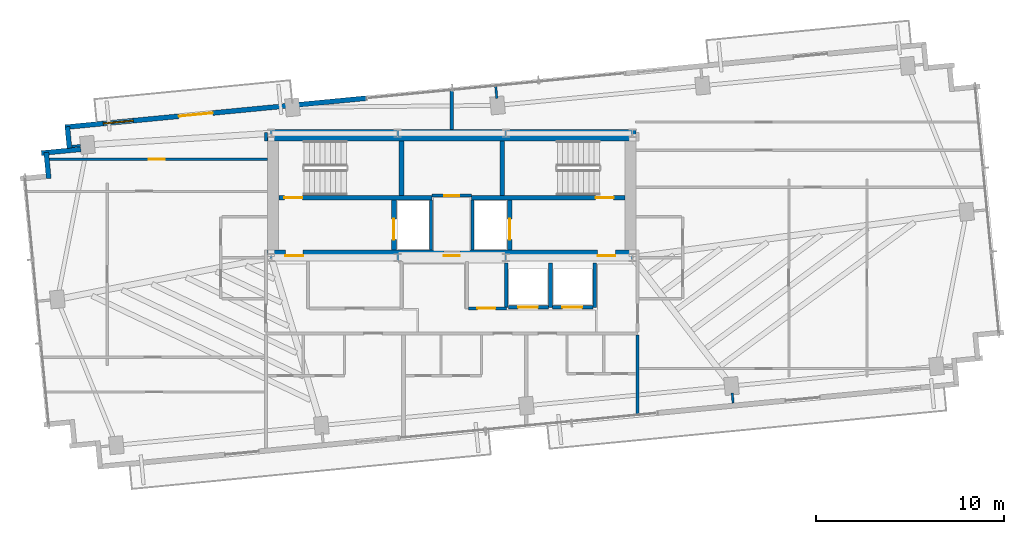
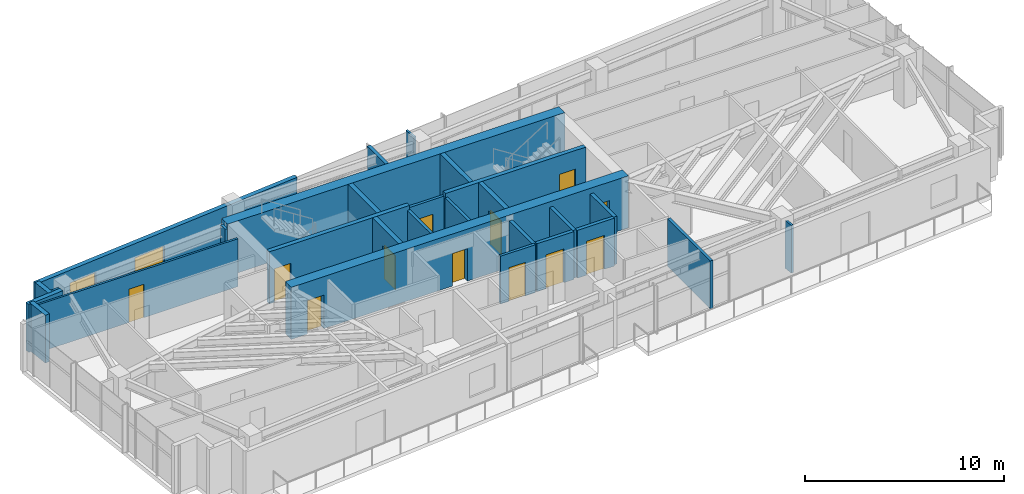
# One storey, part 14 of 18: 28 walls, 13 doors, 1 window, 14 openings.
"""IFC4 building model written with IfcOpenShell, lengths in metres."""

from ifc_helpers import new_model, si_unit, direction, frame, frame_2d, origin, place, context, subcontext, project, spatial, rectangle, extrude, source, transform, mapped, material, layer, layer_set, type_object, type_shapes, element, fill, save


model = new_model("IFC4")

# Units and contexts
model_context = context("Model", 3, precision=1e-05, world=origin(), true_north=direction((0.0, 1.0)))
body_context = subcontext(model_context, "Body", "Model", "MODEL_VIEW")
ifc_project = project(units=[si_unit("LENGTHUNIT", "METRE"), si_unit("AREAUNIT", "SQUARE_METRE"), si_unit("VOLUMEUNIT", "CUBIC_METRE"), si_unit("PLANEANGLEUNIT", "RADIAN"), si_unit("MASSUNIT", "GRAM", prefix="KILO")], contexts=[model_context])

# Site, building, storey
site_placement = place(None, origin())
site = spatial("IfcSite", under=ifc_project, at=site_placement, CompositionType="ELEMENT")
building_placement = place(site_placement, origin())
building = spatial("IfcBuilding", under=site, at=building_placement, Name="Astriad Promenade Condominiums", CompositionType="ELEMENT")
storey_placement = place(building_placement, frame((0.0, 0.0, 201.800048828125)))
storey = spatial("IfcBuildingStorey", under=building, at=storey_placement, Name="L58", CompositionType="ELEMENT", Elevation=201.800048828125)

# Wall, openings, doors
ifc_material_1 = material(Name="Concrete C50/60", Category="concrete")
ifc_layer_1 = layer(ifc_material_1, 0.60009765625)
ifc_layer_set_1 = layer_set([ifc_layer_1], Name="Concrete C50/60")
wall_type_1 = type_object("IfcWallType", Name="CW-SHEAR-600", PredefinedType="SHEAR", material=ifc_layer_set_1)
wall_1_placement = place(storey_placement, frame((26.199951171875, 17.5, 0.0), z_axis=(0.0, 0.0, 1.0), x_axis=(1.0, 0.0, 0.0)))
wall_1 = element("IfcWall", 1, at=wall_1_placement, inside=storey, type_object=wall_type_1, Name="CW-CORE-S-L58", PredefinedType="SHEAR", context=body_context, shape_type="SweptSolid", body=[
    extrude(rectangle(XDim=19.60009765625, YDim=0.60009765625, at=frame_2d((9.800048828125, 0.0))), origin(), (0.0, 0.0, 1.0), 3.199951171875),
])
opening_1_placement = place(wall_1_placement, frame((0.949951171875, 0.0, 0.0)))
opening_1 = element("IfcOpeningElement", 2, at=opening_1_placement, cuts=wall_1, Name="Opening FD90-ST-095", PredefinedType="OPENING", context=body_context, shape_type="SweptSolid", body=[
    extrude(rectangle(XDim=0.949951171875, YDim=2.06005859375, at=frame_2d((0.47509765625, 1.030029296875))), frame((0.0, 0.31005859375, 0.0), z_axis=(0.0, -1.0, 0.0), x_axis=(1.0, 0.0, 0.0)), (0.0, 0.0, 1.0), 0.6201171875),
])
opening_2_placement = place(wall_1_placement, frame((9.3798828125, 0.0, 0.0)))
opening_2 = element("IfcOpeningElement", 3, at=opening_2_placement, cuts=wall_1, Name="Opening FD60-ULOW-085", PredefinedType="OPENING", context=body_context, shape_type="SweptSolid", body=[
    extrude(rectangle(XDim=0.85009765625, YDim=2.0, at=frame_2d((0.425048828125, 1.0))), frame((0.0, 0.31005859375, 0.0), z_axis=(0.0, -1.0, 0.0), x_axis=(1.0, 0.0, 0.0)), (0.0, 0.0, 1.0), 0.6201171875),
])
opening_3_placement = place(wall_1_placement, frame((17.550048828125, 0.0, 0.0)))
opening_3 = element("IfcOpeningElement", 4, at=opening_3_placement, cuts=wall_1, Name="Opening FD90-ST-095", PredefinedType="OPENING", context=body_context, shape_type="SweptSolid", body=[
    extrude(rectangle(XDim=0.949951171875, YDim=2.06005859375, at=frame_2d((0.47509765625, 1.030029296875))), frame((0.0, 0.31005859375, 0.0), z_axis=(0.0, -1.0, 0.0), x_axis=(1.0, 0.0, 0.0)), (0.0, 0.0, 1.0), 0.6201171875),
])
ifc_material_2 = material(Name="Fire-Rated Hollow Metal Stair Door")
door_type_1 = type_object("IfcDoorType", Name="FD90-ST-095", OperationType="NOTDEFINED", PredefinedType="DOOR", material=ifc_material_2)
shared_shape_1 = source(origin(), body_context, "Body", "SweptSolid", [
    extrude(rectangle(XDim=0.949951171875, YDim=2.06005859375, at=frame_2d((0.47509765625, 1.030029296875))), frame((0.0, 0.02490234375, 0.0), z_axis=(0.0, -1.0, 0.0), x_axis=(1.0, 0.0, 0.0)), (0.0, 0.0, 1.0), 0.050048828125),
])
type_shapes(door_type_1, [shared_shape_1])
door_1_placement = place(opening_1_placement, origin())
door_1 = element("IfcDoor", 5, at=door_1_placement, inside=storey, type_object=door_type_1, Name="D-FFW-L58", OperationType="SINGLE_SWING_LEFT", OverallHeight=2.06005859375, OverallWidth=0.949951171875, PredefinedType="DOOR", context=body_context, shape_type="MappedRepresentation", body=[
    mapped(shared_shape_1, transform((0.0, 0.0, 0.0), scale=1.0)),
])
fill(opening_1, door_1)
door_2_placement = place(opening_3_placement, origin())
door_2 = element("IfcDoor", 6, at=door_2_placement, inside=storey, type_object=door_type_1, Name="D-FFE-L58", OperationType="SINGLE_SWING_RIGHT", OverallHeight=2.06005859375, OverallWidth=0.949951171875, PredefinedType="DOOR", context=body_context, shape_type="MappedRepresentation", body=[
    mapped(shared_shape_1, transform((0.0, 0.0, 0.0), scale=1.0)),
])
fill(opening_3, door_2)
ifc_material_3 = material(Name="Solid-Core Low-Headroom Fire Door")
door_type_2 = type_object("IfcDoorType", Name="FD60-ULOW-085", OperationType="NOTDEFINED", PredefinedType="DOOR", material=ifc_material_3)
shared_shape_2 = source(origin(), body_context, "Body", "SweptSolid", [
    extrude(rectangle(XDim=0.85009765625, YDim=2.0, at=frame_2d((0.425048828125, 1.0))), frame((0.0, 0.02490234375, 0.0), z_axis=(0.0, -1.0, 0.0), x_axis=(1.0, 0.0, 0.0)), (0.0, 0.0, 1.0), 0.050048828125),
])
type_shapes(door_type_2, [shared_shape_2])
door_3_placement = place(opening_2_placement, origin())
door_3 = element("IfcDoor", 7, at=door_3_placement, inside=storey, type_object=door_type_2, Name="D-CSL-L58", OperationType="SINGLE_SWING_RIGHT", OverallHeight=2.0, OverallWidth=0.85009765625, PredefinedType="DOOR", context=body_context, shape_type="MappedRepresentation", body=[
    mapped(shared_shape_2, transform((0.0, 0.0, 0.0), scale=1.0)),
])
fill(opening_2, door_3)

# Wall
wall_2_placement = place(storey_placement, frame((26.199951171875, 23.89990234375, 0.0), z_axis=(0.0, 0.0, 1.0), x_axis=(1.0, 0.0, 0.0)))
element("IfcWall", 8, at=wall_2_placement, inside=storey, type_object=wall_type_1, Name="CW-CORE-N-L58", PredefinedType="SHEAR", context=body_context, shape_type="SweptSolid", body=[
    extrude(rectangle(XDim=19.60009765625, YDim=0.60009765625, at=frame_2d((9.800048828125, 0.0))), origin(), (0.0, 0.0, 1.0), 3.199951171875),
])

# Wall, opening, door
ifc_layer_2 = layer(ifc_material_1, 0.25)
ifc_layer_set_2 = layer_set([ifc_layer_2], Name="Concrete C50/60")
wall_type_2 = type_object("IfcWallType", Name="WALL-CORE-INT-250", PredefinedType="SOLIDWALL", material=ifc_layer_set_2)
wall_3_placement = place(storey_placement, frame((26.802001953125, 20.574951171875, 0.0), z_axis=(0.0, 0.0, 1.0), x_axis=(1.0, 0.0, 0.0)))
wall_3 = element("IfcWall", 9, at=wall_3_placement, inside=storey, type_object=wall_type_2, Name="CW-INT-H1-L58", PredefinedType="SOLIDWALL", context=body_context, shape_type="SweptSolid", body=[
    extrude(rectangle(XDim=8.14794921875, YDim=0.25, at=frame_2d((4.073974609375, 0.0))), origin(), (0.0, 0.0, 1.0), 3.199951171875),
])
opening_4_placement = place(wall_3_placement, frame((0.298095703125, 0.0, 0.0)))
opening_4 = element("IfcOpeningElement", 10, at=opening_4_placement, cuts=wall_3, Name="Opening FD90-ST-095", PredefinedType="OPENING", context=body_context, shape_type="SweptSolid", body=[
    extrude(rectangle(XDim=0.949951171875, YDim=2.06005859375, at=frame_2d((0.47509765625, 1.030029296875))), frame((0.0, 0.135009765625, 0.0), z_axis=(0.0, -1.0, 0.0), x_axis=(1.0, 0.0, 0.0)), (0.0, 0.0, 1.0), 0.27001953125),
])
door_4_placement = place(opening_4_placement, origin())
door_4 = element("IfcDoor", 11, at=door_4_placement, inside=storey, type_object=door_type_1, Name="D-ST1-L58", OperationType="SINGLE_SWING_LEFT", OverallHeight=2.06005859375, OverallWidth=0.949951171875, PredefinedType="DOOR", context=body_context, shape_type="MappedRepresentation", body=[
    mapped(shared_shape_1, transform((0.0, 0.0, 0.0), scale=1.0)),
])
fill(opening_4, door_4)

wall_4_placement = place(storey_placement, frame((37.050048828125, 20.574951171875, 0.0), z_axis=(0.0, 0.0, 1.0), x_axis=(1.0, 0.0, 0.0)))
wall_4 = element("IfcWall", 12, at=wall_4_placement, inside=storey, type_object=wall_type_2, Name="CW-INT-H2-L58", PredefinedType="SOLIDWALL", context=body_context, shape_type="SweptSolid", body=[
    extrude(rectangle(XDim=8.14794921875, YDim=0.25, at=frame_2d((4.073974609375, 0.0))), origin(), (0.0, 0.0, 1.0), 3.199951171875),
])
opening_5_placement = place(wall_4_placement, frame((6.60009765625, 0.0, 0.0)))
opening_5 = element("IfcOpeningElement", 13, at=opening_5_placement, cuts=wall_4, Name="Opening FD90-ST-095", PredefinedType="OPENING", context=body_context, shape_type="SweptSolid", body=[
    extrude(rectangle(XDim=0.949951171875, YDim=2.06005859375, at=frame_2d((0.47509765625, 1.030029296875))), frame((0.0, 0.135009765625, 0.0), z_axis=(0.0, -1.0, 0.0), x_axis=(1.0, 0.0, 0.0)), (0.0, 0.0, 1.0), 0.27001953125),
])
door_5_placement = place(opening_5_placement, origin())
door_5 = element("IfcDoor", 14, at=door_5_placement, inside=storey, type_object=door_type_1, Name="D-ST2-L58", OperationType="SINGLE_SWING_RIGHT", OverallHeight=2.06005859375, OverallWidth=0.949951171875, PredefinedType="DOOR", context=body_context, shape_type="MappedRepresentation", body=[
    mapped(shared_shape_1, transform((0.0, 0.0, 0.0), scale=1.0)),
])
fill(opening_5, door_5)

# Walls
for number, where, z_axis, x_axis, name in (
    (15, (33.324951171875, 20.701904296875, 0.0), (0.0, 0.0, 1.0), (0.0, 1.0, 0.0), "CW-ST1-E-L58"),
    (16, (38.675048828125, 20.701904296875, 0.0), (0.0, 0.0, 1.0), (0.0, 1.0, 0.0), "CW-ST2-W-L58"),
):
    element("IfcWall", number, at=place(storey_placement, frame(where, z_axis=z_axis, x_axis=x_axis)), inside=storey, type_object=wall_type_2, Name=name, PredefinedType="SOLIDWALL", context=body_context, shape_type="SweptSolid", body=[
        extrude(rectangle(XDim=2.89599609375, YDim=0.25, at=frame_2d((1.447998046875, 0.0))), origin(), (0.0, 0.0, 1.0), 3.199951171875),
    ])

# Wall, opening, door
wall_5_placement = place(storey_placement, frame((32.925048828125, 17.802001953125, 0.0), z_axis=(0.0, 0.0, 1.0), x_axis=(0.0, 1.0, 0.0)))
wall_5 = element("IfcWall", 17, at=wall_5_placement, inside=storey, type_object=wall_type_2, Name="CW-FFL1-W-L58", PredefinedType="SOLIDWALL", context=body_context, shape_type="SweptSolid", body=[
    extrude(rectangle(XDim=2.64599609375, YDim=0.25, at=frame_2d((1.322998046875, 0.0))), origin(), (0.0, 0.0, 1.0), 3.199951171875),
])
opening_6_placement = place(wall_5_placement, frame((0.548095703125, 0.0, 0.0)))
opening_6 = element("IfcOpeningElement", 18, at=opening_6_placement, cuts=wall_5, Name="Opening LD-FFL-1122", PredefinedType="OPENING", context=body_context, shape_type="SweptSolid", body=[
    extrude(rectangle(XDim=1.10009765625, YDim=2.080078125, at=frame_2d((0.550048828125, 1.0400390625))), frame((0.0, 0.135009765625, 0.0), z_axis=(0.0, -1.0, 0.0), x_axis=(1.0, 0.0, 0.0)), (0.0, 0.0, 1.0), 0.27001953125),
])
ifc_material_4 = material(Name="Brushed Stainless Steel Fire Elevator Landing Door", Category="steel")
door_type_3 = type_object("IfcDoorType", Name="LD-FFL-1122", OperationType="NOTDEFINED", PredefinedType="DOOR", material=ifc_material_4)
shared_shape_3 = source(origin(), body_context, "Body", "SweptSolid", [
    extrude(rectangle(XDim=1.10009765625, YDim=2.080078125, at=frame_2d((0.550048828125, 1.0400390625))), frame((0.0, 0.02490234375, 0.0), z_axis=(0.0, -1.0, 0.0), x_axis=(1.0, 0.0, 0.0)), (0.0, 0.0, 1.0), 0.050048828125),
])
type_shapes(door_type_3, [shared_shape_3])
door_6_placement = place(opening_6_placement, origin())
door_6 = element("IfcDoor", 19, at=door_6_placement, inside=storey, type_object=door_type_3, Name="Elevator Landing Door FFL-1 (L58)", OperationType="SLIDING_TO_LEFT", OverallHeight=2.080078125, OverallWidth=1.10009765625, PredefinedType="DOOR", context=body_context, shape_type="MappedRepresentation", body=[
    mapped(shared_shape_3, transform((0.0, 0.0, 0.0), scale=1.0)),
])
fill(opening_6, door_6)

wall_6_placement = place(storey_placement, frame((39.074951171875, 17.802001953125, 0.0), z_axis=(0.0, 0.0, 1.0), x_axis=(0.0, 1.0, 0.0)))
wall_6 = element("IfcWall", 20, at=wall_6_placement, inside=storey, type_object=wall_type_2, Name="CW-FFL2-E-L58", PredefinedType="SOLIDWALL", context=body_context, shape_type="SweptSolid", body=[
    extrude(rectangle(XDim=2.64599609375, YDim=0.25, at=frame_2d((1.322998046875, 0.0))), origin(), (0.0, 0.0, 1.0), 3.199951171875),
])
opening_7_placement = place(wall_6_placement, frame((0.548095703125, 0.0, 0.0)))
opening_7 = element("IfcOpeningElement", 21, at=opening_7_placement, cuts=wall_6, Name="Opening LD-FFL-1122", PredefinedType="OPENING", context=body_context, shape_type="SweptSolid", body=[
    extrude(rectangle(XDim=1.10009765625, YDim=2.080078125, at=frame_2d((0.550048828125, 1.0400390625))), frame((0.0, 0.135009765625, 0.0), z_axis=(0.0, -1.0, 0.0), x_axis=(1.0, 0.0, 0.0)), (0.0, 0.0, 1.0), 0.27001953125),
])
door_7_placement = place(opening_7_placement, origin())
door_7 = element("IfcDoor", 22, at=door_7_placement, inside=storey, type_object=door_type_3, Name="Elevator Landing Door FFL-2 (L58)", OperationType="SLIDING_TO_RIGHT", OverallHeight=2.080078125, OverallWidth=1.10009765625, PredefinedType="DOOR", context=body_context, shape_type="MappedRepresentation", body=[
    mapped(shared_shape_3, transform((0.0, 0.0, 0.0), scale=1.0)),
])
fill(opening_7, door_7)

# Walls
ifc_material_5 = material(Name="Fire-Rated Gypsum Partition")
ifc_layer_3 = layer(ifc_material_5, 0.159912109375)
ifc_layer_set_3 = layer_set([ifc_layer_3], Name="Fire-Rated Gypsum Partition")
wall_type_3 = type_object("IfcWallType", Name="WALL-CORR-160", PredefinedType="PARTITIONING", material=ifc_layer_set_3)
for number, where, z_axis, x_axis, name in (
    (23, (34.89990234375, 17.802001953125, 0.0), (0.0, 0.0, 1.0), (0.0, 1.0, 0.0), "CW-FFL1-E-L58"),
    (24, (37.10009765625, 17.802001953125, 0.0), (0.0, 0.0, 1.0), (0.0, 1.0, 0.0), "CW-FFL2-W-L58"),
):
    element("IfcWall", number, at=place(storey_placement, frame(where, z_axis=z_axis, x_axis=x_axis)), inside=storey, type_object=wall_type_3, Name=name, PredefinedType="PARTITIONING", context=body_context, shape_type="SweptSolid", body=[
        extrude(rectangle(XDim=2.64599609375, YDim=0.159912109375, at=frame_2d((1.322998046875, 0.0))), origin(), (0.0, 0.0, 1.0), 2.93994140625),
    ])

# Wall, opening, door
wall_7_placement = place(storey_placement, frame((34.949951171875, 20.68994140625, 0.0), z_axis=(0.0, 0.0, 1.0), x_axis=(1.0, 0.0, 0.0)))
wall_7 = element("IfcWall", 25, at=wall_7_placement, inside=storey, type_object=wall_type_3, Name="CW-AUX-S-L58", PredefinedType="PARTITIONING", context=body_context, shape_type="SweptSolid", body=[
    extrude(rectangle(XDim=2.10009765625, YDim=0.159912109375, at=frame_2d((1.050048828125, 0.0))), origin(), (0.0, 0.0, 1.0), 2.93994140625),
])
opening_8_placement = place(wall_7_placement, frame((0.64990234375, 0.0, 0.0)))
opening_8 = element("IfcOpeningElement", 26, at=opening_8_placement, cuts=wall_7, Name="Opening FD60-SV-080", PredefinedType="OPENING", context=body_context, shape_type="SweptSolid", body=[
    extrude(rectangle(XDim=0.800048828125, YDim=2.050048828125, at=frame_2d((0.39990234375, 1.02490234375))), frame((0.0, 0.08984375, 0.0), z_axis=(0.0, -1.0, 0.0), x_axis=(1.0, 0.0, 0.0)), (0.0, 0.0, 1.0), 0.179931640625),
])
ifc_material_6 = material(Name="Fire-Rated Riser Closet Door")
door_type_4 = type_object("IfcDoorType", Name="FD60-SV-080", OperationType="NOTDEFINED", PredefinedType="DOOR", material=ifc_material_6)
shared_shape_4 = source(origin(), body_context, "Body", "SweptSolid", [
    extrude(rectangle(XDim=0.800048828125, YDim=2.050048828125, at=frame_2d((0.39990234375, 1.02490234375))), frame((0.0, 0.02490234375, 0.0), z_axis=(0.0, -1.0, 0.0), x_axis=(1.0, 0.0, 0.0)), (0.0, 0.0, 1.0), 0.050048828125),
])
type_shapes(door_type_4, [shared_shape_4])
door_8_placement = place(opening_8_placement, origin())
door_8 = element("IfcDoor", 27, at=door_8_placement, inside=storey, type_object=door_type_4, Name="D-AUX1-L58", OperationType="SINGLE_SWING_LEFT", OverallHeight=2.050048828125, OverallWidth=0.800048828125, PredefinedType="DOOR", context=body_context, shape_type="MappedRepresentation", body=[
    mapped(shared_shape_4, transform((0.0, 0.0, 0.0), scale=1.0)),
])
fill(opening_8, door_8)

# Walls
wall_8_placement = place(storey_placement, frame((26.1201171875, 23.597900390625, 0.0), z_axis=(0.0, 0.0, 1.0), x_axis=(0.0, 1.0, 0.0)))
element("IfcWall", 28, at=wall_8_placement, inside=storey, type_object=wall_type_3, Name="PT-COR-W-L58-S3", PredefinedType="PARTITIONING", context=body_context, shape_type="SweptSolid", body=[
    extrude(rectangle(XDim=0.4521484375, YDim=0.159912109375, at=frame_2d((0.22607421875, 0.0))), origin(), (0.0, 0.0, 1.0), 2.93994140625),
])
wall_9_placement = place(storey_placement, frame((45.8798828125, 8.98095703125, 0.0), z_axis=(0.0, 0.0, 1.0), x_axis=(0.0, 1.0, 0.0)))
element("IfcWall", 29, at=wall_9_placement, inside=storey, type_object=wall_type_3, Name="PT-COR-E-L58", PredefinedType="PARTITIONING", context=body_context, shape_type="SweptSolid", body=[
    extrude(rectangle(XDim=4.297119140625, YDim=0.159912109375, at=frame_2d((2.1484375, 0.0))), origin(), (0.0, 0.0, 1.0), 2.93994140625),
])

# Wall, opening, door
wall_10_placement = place(storey_placement, frame((36.882080078125, 14.699951171875, 0.0), z_axis=(0.0, 0.0, 1.0), x_axis=(1.0, 0.0, 0.0)))
wall_10 = element("IfcWall", 30, at=wall_10_placement, inside=storey, type_object=wall_type_3, Name="PT-Z3R2-S-L58", PredefinedType="PARTITIONING", context=body_context, shape_type="SweptSolid", body=[
    extrude(rectangle(XDim=2.017822265625, YDim=0.159912109375, at=frame_2d((1.0087890625, 0.0))), origin(), (0.0, 0.0, 1.0), 2.93994140625),
])
opening_9_placement = place(wall_10_placement, frame((0.48291015625, 0.0, 0.0)))
opening_9 = element("IfcOpeningElement", 31, at=opening_9_placement, cuts=wall_10, Name="Opening FD60-APT-095", PredefinedType="OPENING", context=body_context, shape_type="SweptSolid", body=[
    extrude(rectangle(XDim=0.949951171875, YDim=2.06005859375, at=frame_2d((0.47509765625, 1.030029296875))), frame((0.0, 0.08984375, 0.0), z_axis=(0.0, -1.0, 0.0), x_axis=(1.0, 0.0, 0.0)), (0.0, 0.0, 1.0), 0.179931640625),
])
ifc_material_7 = material(Name="Solid-Core Acoustic Timber Residence Entry Door", Category="wood")
door_type_5 = type_object("IfcDoorType", Name="FD60-APT-095", OperationType="NOTDEFINED", PredefinedType="DOOR", material=ifc_material_7)
shared_shape_5 = source(origin(), body_context, "Body", "SweptSolid", [
    extrude(rectangle(XDim=0.949951171875, YDim=2.06005859375, at=frame_2d((0.47509765625, 1.030029296875))), frame((0.0, 0.02490234375, 0.0), z_axis=(0.0, -1.0, 0.0), x_axis=(1.0, 0.0, 0.0)), (0.0, 0.0, 1.0), 0.050048828125),
])
type_shapes(door_type_5, [shared_shape_5])
door_9_placement = place(opening_9_placement, origin())
door_9 = element("IfcDoor", 32, at=door_9_placement, inside=storey, type_object=door_type_5, Name="D-Z3N-L58", OperationType="SINGLE_SWING_LEFT", OverallHeight=2.06005859375, OverallWidth=0.949951171875, PredefinedType="DOOR", context=body_context, shape_type="MappedRepresentation", body=[
    mapped(shared_shape_5, transform((0.0, 0.0, 0.0), scale=1.0)),
])
fill(opening_9, door_9)

# Walls
ifc_material_8 = material(Name="Acoustic Double-Stud Gypsum Partition")
ifc_layer_4 = layer(ifc_material_8, 0.199951171875)
ifc_layer_set_4 = layer_set([ifc_layer_4], Name="Acoustic Double-Stud Gypsum Partition")
wall_type_4 = type_object("IfcWallType", Name="WALL-DEMISING-200", PredefinedType="PARTITIONING", material=ifc_layer_set_4)
wall_11_placement = place(storey_placement, frame((36.0, 24.201904296875, 0.0), z_axis=(0.0, 0.0, 1.0), x_axis=(0.0, 1.0, 0.0)))
element("IfcWall", 33, at=wall_11_placement, inside=storey, type_object=wall_type_4, Name="PT-NC-MID-L58", PredefinedType="PARTITIONING", context=body_context, shape_type="SweptSolid", body=[
    extrude(rectangle(XDim=2.152099609375, YDim=0.199951171875, at=frame_2d((1.076171875, 0.0))), origin(), (0.0, 0.0, 1.0), 2.93994140625),
])
ifc_material_9 = material(Name="Precast concrete C50/60", Category="concrete")
ifc_layer_5 = layer(ifc_material_9, 0.260009765625)
ifc_layer_set_5 = layer_set([ifc_layer_5], Name="Precast concrete C50/60")
wall_type_5 = type_object("IfcWallType", Name="WALL-EXT-TWR-260", PredefinedType="STANDARD", material=ifc_layer_set_5)
wall_12_placement = place(storey_placement, frame((14.57373046875, 21.5986328125, 0.0), z_axis=(0.0, 0.0, 1.0), x_axis=(-0.095742423056, 0.99540614245, 0.0)))
element("IfcWall", 34, at=wall_12_placement, inside=storey, type_object=wall_type_5, Name="W-SER-L58-05", PredefinedType="STANDARD", context=body_context, shape_type="SweptSolid", body=[
    extrude(rectangle(XDim=1.394775390625, YDim=0.260009765625, at=frame_2d((0.697265625, 0.0))), origin(), (0.0, 0.0, 1.0), 2.93994140625),
])
wall_13_placement = place(storey_placement, frame((14.182861328125, 22.947265625, 0.0), z_axis=(0.0, 0.0, 1.0), x_axis=(0.995401580483, 0.095789840651, 0.0)))
element("IfcWall", 35, at=wall_13_placement, inside=storey, type_object=wall_type_5, Name="W-SER-L58-06", PredefinedType="STANDARD", context=body_context, shape_type="SweptSolid", body=[
    extrude(rectangle(XDim=2.102783203125, YDim=0.260009765625, at=frame_2d((1.05126953125, 0.0))), origin(), (0.0, 0.0, 1.0), 2.93994140625),
])
wall_14_placement = place(storey_placement, frame((15.6748046875, 23.20654296875, 0.0), z_axis=(0.0, 0.0, 1.0), x_axis=(-0.095951054827, 0.995386053287, 0.0)))
element("IfcWall", 36, at=wall_14_placement, inside=storey, type_object=wall_type_5, Name="W-SER-L58-07", PredefinedType="STANDARD", context=body_context, shape_type="SweptSolid", body=[
    extrude(rectangle(XDim=1.150146484375, YDim=0.260009765625, at=frame_2d((0.5751953125, 0.0))), origin(), (0.0, 0.0, 1.0), 2.93994140625),
])

# Wall, openings, door, window
wall_15_placement = place(storey_placement, frame((15.4365234375, 24.32373046875, 0.0), z_axis=(0.0, 0.0, 1.0), x_axis=(0.995395627913, 0.095851676732, 0.0)))
wall_15 = element("IfcWall", 37, at=wall_15_placement, inside=storey, type_object=wall_type_5, Name="W-EXT-L58-N1", PredefinedType="STANDARD", context=body_context, shape_type="SweptSolid", body=[
    extrude(rectangle(XDim=16.10009765625, YDim=0.260009765625, at=frame_2d((8.050048828125, 0.0))), origin(), (0.0, 0.0, 1.0), 2.93994140625),
])
opening_10_placement = place(wall_15_placement, frame((6.090087890625, 0.0, 0.0)))
opening_10 = element("IfcOpeningElement", 38, at=opening_10_placement, cuts=wall_15, Name="Opening BD-1822-SLD", PredefinedType="OPENING", context=body_context, shape_type="SweptSolid", body=[
    extrude(rectangle(XDim=1.800048828125, YDim=2.06005859375, at=frame_2d((0.89990234375, 1.030029296875))), frame((0.0, 0.139892578125, 0.0), z_axis=(0.0, -1.0, 0.0), x_axis=(1.0, 0.0, 0.0)), (0.0, 0.0, 1.0), 0.280029296875),
])
opening_11_placement = place(wall_15_placement, frame((2.050048828125, 0.0, 0.64990234375)))
opening_11 = element("IfcOpeningElement", 39, at=opening_11_placement, cuts=wall_15, Name="Opening WIN-TWR-1620", PredefinedType="OPENING", context=body_context, shape_type="SweptSolid", body=[
    extrude(rectangle(XDim=1.60009765625, YDim=1.5, at=frame_2d((0.800048828125, 0.75))), frame((0.0, 0.139892578125, 0.0), z_axis=(0.0, -1.0, 0.0), x_axis=(1.0, 0.0, 0.0)), (0.0, 0.0, 1.0), 0.280029296875),
])
ifc_material_10 = material(Name="Thermally Broken Aluminium Sliding Balcony Door", Category="aluminium")
door_type_6 = type_object("IfcDoorType", Name="BD-1822-SLD", OperationType="NOTDEFINED", PredefinedType="DOOR", material=ifc_material_10)
shared_shape_6 = source(origin(), body_context, "Body", "SweptSolid", [
    extrude(rectangle(XDim=1.800048828125, YDim=2.06005859375, at=frame_2d((0.89990234375, 1.030029296875))), frame((0.0, 0.02490234375, 0.0), z_axis=(0.0, -1.0, 0.0), x_axis=(1.0, 0.0, 0.0)), (0.0, 0.0, 1.0), 0.050048828125),
])
type_shapes(door_type_6, [shared_shape_6])
door_10_placement = place(opening_10_placement, origin())
door_10 = element("IfcDoor", 40, at=door_10_placement, inside=storey, type_object=door_type_6, Name="BD-L58-NW", OperationType="SLIDING_TO_LEFT", OverallHeight=2.06005859375, OverallWidth=1.800048828125, PredefinedType="DOOR", context=body_context, shape_type="MappedRepresentation", body=[
    mapped(shared_shape_6, transform((0.0, 0.0, 0.0), scale=1.0)),
])
fill(opening_10, door_10)
ifc_material_11 = material(Name="Dark Tinted Triple-Glazed Aluminium Window", Category="aluminium")
window_type = type_object("IfcWindowType", Name="WIN-TWR-1620", PartitioningType="SINGLE_PANEL", PredefinedType="WINDOW", material=ifc_material_11)
shared_shape_7 = source(origin(), body_context, "Body", "SweptSolid", [
    extrude(rectangle(XDim=1.60009765625, YDim=1.5, at=frame_2d((0.800048828125, 0.75))), frame((0.0, 0.030029296875, 0.0), z_axis=(0.0, -1.0, 0.0), x_axis=(1.0, 0.0, 0.0)), (0.0, 0.0, 1.0), 0.06005859375),
])
type_shapes(window_type, [shared_shape_7])
window_placement = place(opening_11_placement, origin())
window = element("IfcWindow", 41, at=window_placement, inside=storey, type_object=window_type, Name="WIN-L58-NW", OverallHeight=1.5, OverallWidth=1.60009765625, PartitioningType="SINGLE_PANEL", PredefinedType="WINDOW", context=body_context, shape_type="MappedRepresentation", body=[
    mapped(shared_shape_7, transform((0.0, 0.0, 0.0), scale=1.0)),
])
fill(opening_11, window)

# Wall, opening, door
ifc_material_12 = material(Name="Acoustic Metal-Stud Gypsum Partition")
ifc_layer_6 = layer(ifc_material_12, 0.1201171875)
ifc_layer_set_6 = layer_set([ifc_layer_6], Name="Acoustic Metal-Stud Gypsum Partition")
wall_type_6 = type_object("IfcWallType", Name="WALL-PART-120", PredefinedType="PARTITIONING", material=ifc_layer_set_6)
wall_16_placement = place(storey_placement, frame((14.60791015625, 22.6220703125, 0.0), z_axis=(0.0, 0.0, 1.0), x_axis=(1.0, 0.0, 0.0)))
wall_16 = element("IfcWall", 42, at=wall_16_placement, inside=storey, type_object=wall_type_6, Name="PT-L58-W1-WDN2", PredefinedType="PARTITIONING", context=body_context, shape_type="SweptSolid", body=[
    extrude(rectangle(XDim=11.590087890625, YDim=0.1201171875, at=frame_2d((5.794921875, 0.0))), origin(), (0.0, 0.0, 1.0), 2.93994140625),
])
opening_12_placement = place(wall_16_placement, frame((5.27001953125, 0.0, 0.0)))
opening_12 = element("IfcOpeningElement", 43, at=opening_12_placement, cuts=wall_16, Name="Opening D-INT-085", PredefinedType="OPENING", context=body_context, shape_type="SweptSolid", body=[
    extrude(rectangle(XDim=0.85009765625, YDim=2.050048828125, at=frame_2d((0.425048828125, 1.02490234375))), frame((0.0, 0.070068359375, 0.0), z_axis=(0.0, -1.0, 0.0), x_axis=(1.0, 0.0, 0.0)), (0.0, 0.0, 1.0), 0.14013671875),
])
ifc_material_13 = material(Name="Painted Solid-Core Timber Room Door", Category="wood")
door_type_7 = type_object("IfcDoorType", Name="D-INT-085", OperationType="NOTDEFINED", PredefinedType="DOOR", material=ifc_material_13)
shared_shape_8 = source(origin(), body_context, "Body", "SweptSolid", [
    extrude(rectangle(XDim=0.85009765625, YDim=2.050048828125, at=frame_2d((0.425048828125, 1.02490234375))), frame((0.0, 0.02490234375, 0.0), z_axis=(0.0, -1.0, 0.0), x_axis=(1.0, 0.0, 0.0)), (0.0, 0.0, 1.0), 0.050048828125),
])
type_shapes(door_type_7, [shared_shape_8])
door_11_placement = place(opening_12_placement, origin())
door_11 = element("IfcDoor", 44, at=door_11_placement, inside=storey, type_object=door_type_7, Name="D-WDN2-L58-W1", OperationType="SINGLE_SWING_LEFT", OverallHeight=2.050048828125, OverallWidth=0.85009765625, PredefinedType="DOOR", context=body_context, shape_type="MappedRepresentation", body=[
    mapped(shared_shape_8, transform((0.0, 0.0, 0.0), scale=1.0)),
])
fill(opening_12, door_11)

# Walls
wall_17_placement = place(storey_placement, frame((50.90478515625, 10.18798828125, 0.0), z_axis=(0.0, 0.0, 1.0), x_axis=(0.095772948675, -0.995403205893, 0.0)))
element("IfcWall", 45, at=wall_17_placement, inside=storey, type_object=wall_type_6, Name="PT-PIL-L58-PC04-11", PredefinedType="PARTITIONING", context=body_context, shape_type="SweptSolid", body=[
    extrude(rectangle(XDim=0.537841796875, YDim=0.1201171875, at=frame_2d((0.26904296875, 0.0))), origin(), (0.0, 0.0, 1.0), 2.93994140625),
])
wall_18_placement = place(storey_placement, frame((16.25390625, 23.34765625, 0.0), z_axis=(0.0, 0.0, 1.0), x_axis=(-0.995389482415, -0.095915474751, 0.0)))
element("IfcWall", 46, at=wall_18_placement, inside=storey, type_object=wall_type_6, Name="PT-PIL-L58-PC06-13", PredefinedType="PARTITIONING", context=body_context, shape_type="SweptSolid", body=[
    extrude(rectangle(XDim=0.458251953125, YDim=0.1201171875, at=frame_2d((0.22900390625, 0.0))), origin(), (0.0, 0.0, 1.0), 2.93994140625),
])
wall_19_placement = place(storey_placement, frame((38.39501953125, 25.861328125, 0.0), z_axis=(0.0, 0.0, 1.0), x_axis=(-0.095977354523, 0.995383517755, 0.0)))
element("IfcWall", 47, at=wall_19_placement, inside=storey, type_object=wall_type_6, Name="PT-PIL-L58-PC08-15", PredefinedType="PARTITIONING", context=body_context, shape_type="SweptSolid", body=[
    extrude(rectangle(XDim=0.719970703125, YDim=0.1201171875, at=frame_2d((0.35986328125, 0.0))), origin(), (0.0, 0.0, 1.0), 2.93994140625),
])
ifc_material_14 = material(Name="Gypsum Shaftliner Assembly")
ifc_layer_7 = layer(ifc_material_14, 0.199951171875)
ifc_layer_set_7 = layer_set([ifc_layer_7], Name="Gypsum Shaftliner Assembly")
wall_type_7 = type_object("IfcWallType", Name="WALL-SHAFT-200", PredefinedType="PARTITIONING", material=ifc_layer_set_7)
for number, where, z_axis, x_axis, name in (
    (48, (38.89990234375, 14.75, 0.0), (0.0, 0.0, 1.0), (0.0, 1.0, 0.0), "PL-MH-DIV-L58"),
    (49, (41.25, 14.75, 0.0), (0.0, 0.0, 1.0), (0.0, 1.0, 0.0), "PL-H-DIV-L58"),
    (50, (43.60009765625, 14.75, 0.0), (0.0, 0.0, 1.0), (0.0, 1.0, 0.0), "PL-E-OUT-L58"),
):
    element("IfcWall", number, at=place(storey_placement, frame(where, z_axis=z_axis, x_axis=x_axis)), inside=storey, type_object=wall_type_7, Name=name, PredefinedType="PARTITIONING", context=body_context, shape_type="SweptSolid", body=[
        extrude(rectangle(XDim=2.35009765625, YDim=0.199951171875, at=frame_2d((1.175048828125, 0.0))), origin(), (0.0, 0.0, 1.0), 2.93994140625),
    ])

# Wall, opening, door
wall_20_placement = place(storey_placement, frame((39.001953125, 14.75, 0.0), z_axis=(0.0, 0.0, 1.0), x_axis=(1.0, 0.0, 0.0)))
wall_20 = element("IfcWall", 51, at=wall_20_placement, inside=storey, type_object=wall_type_7, Name="PL-H-FRT-L58", PredefinedType="PARTITIONING", context=body_context, shape_type="SweptSolid", body=[
    extrude(rectangle(XDim=2.14599609375, YDim=0.199951171875, at=frame_2d((1.072998046875, 0.0))), origin(), (0.0, 0.0, 1.0), 2.93994140625),
])
opening_13_placement = place(wall_20_placement, frame((0.52294921875, 0.0, 0.0)))
opening_13 = element("IfcOpeningElement", 52, at=opening_13_placement, cuts=wall_20, Name="Opening LD-PL-10522", PredefinedType="OPENING", context=body_context, shape_type="SweptSolid", body=[
    extrude(rectangle(XDim=1.050048828125, YDim=2.080078125, at=frame_2d((0.52490234375, 1.0400390625))), frame((0.0, 0.10986328125, 0.0), z_axis=(0.0, -1.0, 0.0), x_axis=(1.0, 0.0, 0.0)), (0.0, 0.0, 1.0), 0.219970703125),
])
ifc_material_15 = material(Name="Brushed Bronze Passenger Elevator Landing Door")
door_type_8 = type_object("IfcDoorType", Name="LD-PL-10522", OperationType="NOTDEFINED", PredefinedType="DOOR", material=ifc_material_15)
shared_shape_9 = source(origin(), body_context, "Body", "SweptSolid", [
    extrude(rectangle(XDim=1.050048828125, YDim=2.080078125, at=frame_2d((0.52490234375, 1.0400390625))), frame((0.0, 0.02490234375, 0.0), z_axis=(0.0, -1.0, 0.0), x_axis=(1.0, 0.0, 0.0)), (0.0, 0.0, 1.0), 0.050048828125),
])
type_shapes(door_type_8, [shared_shape_9])
door_12_placement = place(opening_13_placement, origin())
door_12 = element("IfcDoor", 53, at=door_12_placement, inside=storey, type_object=door_type_8, Name="Elevator Landing Door PL-H1 (L58)", OperationType="SLIDING_TO_LEFT", OverallHeight=2.080078125, OverallWidth=1.050048828125, PredefinedType="DOOR", context=body_context, shape_type="MappedRepresentation", body=[
    mapped(shared_shape_9, transform((0.0, 0.0, 0.0), scale=1.0)),
])
fill(opening_13, door_12)

wall_21_placement = place(storey_placement, frame((41.35205078125, 14.75, 0.0), z_axis=(0.0, 0.0, 1.0), x_axis=(1.0, 0.0, 0.0)))
wall_21 = element("IfcWall", 54, at=wall_21_placement, inside=storey, type_object=wall_type_7, Name="PL-H-FRT-L58-S2", PredefinedType="PARTITIONING", context=body_context, shape_type="SweptSolid", body=[
    extrude(rectangle(XDim=2.14599609375, YDim=0.199951171875, at=frame_2d((1.072998046875, 0.0))), origin(), (0.0, 0.0, 1.0), 2.93994140625),
])
opening_14_placement = place(wall_21_placement, frame((0.52294921875, 0.0, 0.0)))
opening_14 = element("IfcOpeningElement", 55, at=opening_14_placement, cuts=wall_21, Name="Opening LD-PL-10522", PredefinedType="OPENING", context=body_context, shape_type="SweptSolid", body=[
    extrude(rectangle(XDim=1.050048828125, YDim=2.080078125, at=frame_2d((0.52490234375, 1.0400390625))), frame((0.0, 0.10986328125, 0.0), z_axis=(0.0, -1.0, 0.0), x_axis=(1.0, 0.0, 0.0)), (0.0, 0.0, 1.0), 0.219970703125),
])
door_13_placement = place(opening_14_placement, origin())
door_13 = element("IfcDoor", 56, at=door_13_placement, inside=storey, type_object=door_type_8, Name="Elevator Landing Door PL-H2 (L58)", OperationType="SLIDING_TO_RIGHT", OverallHeight=2.080078125, OverallWidth=1.050048828125, PredefinedType="DOOR", context=body_context, shape_type="MappedRepresentation", body=[
    mapped(shared_shape_9, transform((0.0, 0.0, 0.0), scale=1.0)),
])
fill(opening_14, door_13)

save(model, "model.ifc")
